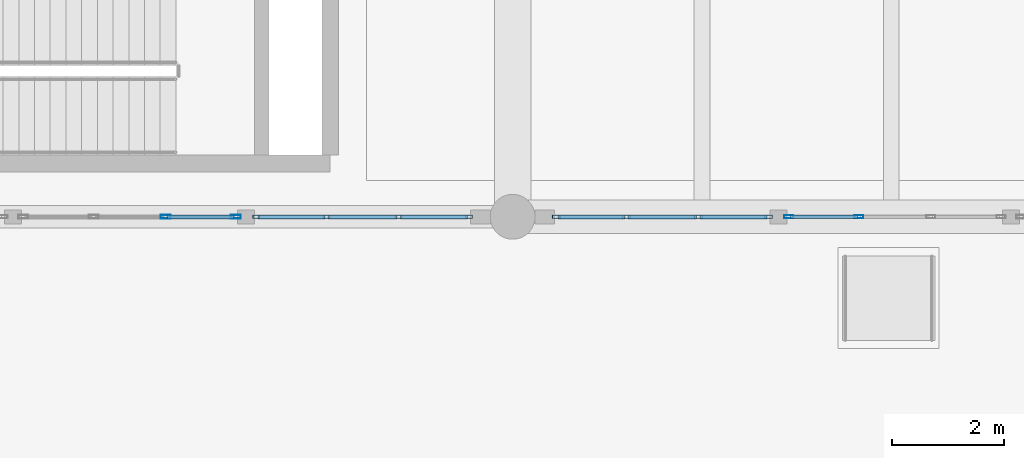
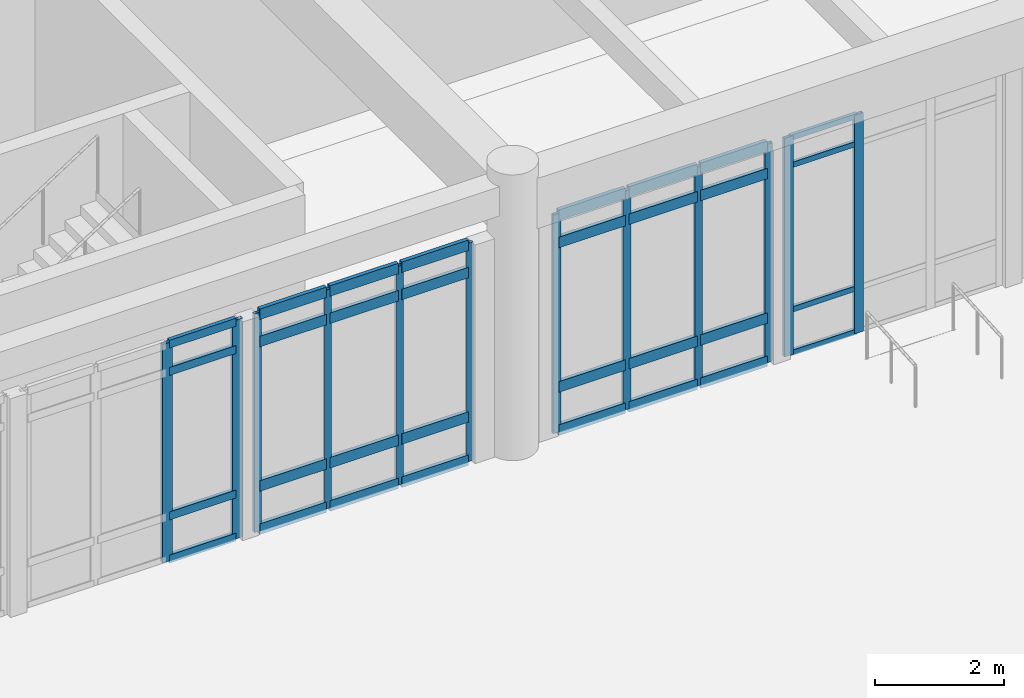
# One storey, part 49 of 138: 44 members, 4 elements without a shape of their own.
"""IFC4 building model written with IfcOpenShell, lengths in metres."""

from ifc_helpers import new_model, si_unit, direction, frame, origin, origin_2d, place, context, subcontext, project, spatial, hollow_rectangle, extrude, material, layer, layer_set, material_profile, profile_set, type_object, element, aggregate, save


model = new_model("IFC4")

# Units and contexts
model_context = context("Model", 3, precision=1e-05, world=origin(), true_north=direction((0.0, 1.0)))
body_context = subcontext(model_context, "Body", "Model", "MODEL_VIEW")
ifc_project = project(units=[si_unit("LENGTHUNIT", "METRE"), si_unit("AREAUNIT", "SQUARE_METRE"), si_unit("VOLUMEUNIT", "CUBIC_METRE"), si_unit("PLANEANGLEUNIT", "RADIAN"), si_unit("MASSUNIT", "GRAM", prefix="KILO")], contexts=[model_context])

# Site, building, storey
site_placement = place(None, origin())
site = spatial("IfcSite", under=ifc_project, at=site_placement, CompositionType="ELEMENT")
building_placement = place(site_placement, origin())
building = spatial("IfcBuilding", under=site, at=building_placement, Name="Fikremerkos Civic Library", CompositionType="ELEMENT")
storey_placement = place(building_placement, origin())
storey = spatial("IfcBuildingStorey", under=building, at=storey_placement, Name="L00", CompositionType="ELEMENT", Elevation=0.0)

# Curtain wall, members
ifc_material = material(Name="Anodized aluminium Frame", Category="aluminium")
ifc_layer_1 = layer(ifc_material, 0.159912109375, Name="Anodized aluminium Frame")
ifc_layer_set_1 = layer_set([ifc_layer_1], Name="Anodized aluminium Frame")
curtain_wall_type_1 = type_object("IfcCurtainWallType", Name="Unitised curtain wall CW-17 4600x3600", PredefinedType="USERDEFINED", material=ifc_layer_set_1)
curtain_wall_1_placement = place(storey_placement, origin())
curtain_wall_1 = element("IfcCurtainWall", 1, at=curtain_wall_1_placement, inside=storey, type_object=curtain_wall_type_1, Name="Unitised curtain wall CW-17 L00 #35", ObjectType="UNITISED CURTAIN WALL", PredefinedType="USERDEFINED")
ifc_material_profile_1 = material_profile(ifc_material, hollow_rectangle(XDim=0.06494140625, YDim=0.179931640625, WallThickness=0.00439453125, at=origin_2d()), Name="ALU 180x65x4.5")
ifc_profile_set_1 = profile_set([ifc_material_profile_1], Name="Anodized aluminium Frame")
member_type_1 = type_object("IfcMemberType", Name="Curtain mullion CWM-01 ALU 180x65x4.5", PredefinedType="MULLION", material=ifc_profile_set_1)
member_1_placement = place(storey_placement, frame((81.76806640625, 96.0, 0.0), z_axis=(0.0, 0.0, 1.0), x_axis=(0.0, -1.0, 0.0)))
member_1 = element("IfcMember", 2, at=member_1_placement, type_object=member_type_1, Name="CW-17 mullion 1", PredefinedType="MULLION", context=body_context, shape_type="SweptSolid", body=[
    extrude(hollow_rectangle(XDim=0.06494140625, YDim=0.179931640625, WallThickness=0.00439453125, at=origin_2d()), origin(), (0.0, 0.0, 1.0), 4.1298828125),
])
member_2_placement = place(storey_placement, frame((80.516845703125, 96.0, 0.0), z_axis=(0.0, 0.0, 1.0), x_axis=(0.0, -1.0, 0.0)))
member_2 = element("IfcMember", 3, at=member_2_placement, type_object=member_type_1, Name="CW-17 mullion 2", PredefinedType="MULLION", context=body_context, shape_type="SweptSolid", body=[
    extrude(hollow_rectangle(XDim=0.06494140625, YDim=0.179931640625, WallThickness=0.00439453125, at=origin_2d()), origin(), (0.0, 0.0, 1.0), 4.1298828125),
])

ifc_layer_2 = layer(ifc_material, 0.159912109375, Name="Anodized aluminium Frame")
ifc_layer_set_2 = layer_set([ifc_layer_2], Name="Anodized aluminium Frame")
curtain_wall_type_2 = type_object("IfcCurtainWallType", Name="Unitised curtain wall CW-14 4100x3200", PredefinedType="USERDEFINED", material=ifc_layer_set_2)
curtain_wall_2_placement = place(storey_placement, origin())
curtain_wall_2 = element("IfcCurtainWall", 4, at=curtain_wall_2_placement, inside=storey, type_object=curtain_wall_type_2, Name="Unitised curtain wall CW-14 L00 #32", ObjectType="UNITISED CURTAIN WALL", PredefinedType="USERDEFINED")
ifc_material_profile_2 = material_profile(ifc_material, hollow_rectangle(XDim=0.06005859375, YDim=0.159912109375, WallThickness=0.00390625, at=origin_2d()), Name="ALU 160x60x4")
ifc_profile_set_2 = profile_set([ifc_material_profile_2], Name="Anodized aluminium Frame")
member_type_2 = type_object("IfcMemberType", Name="Curtain mullion CWM-02 ALU 160x60x4", PredefinedType="MULLION", material=ifc_profile_set_2)
member_3_placement = place(storey_placement, frame((92.8720703125, 96.0, 0.0), z_axis=(0.0, 0.0, 1.0), x_axis=(0.0, -1.0, 0.0)))
member_3 = element("IfcMember", 5, at=member_3_placement, type_object=member_type_2, Name="CW-14 mullion 3", PredefinedType="MULLION", context=body_context, shape_type="SweptSolid", body=[
    extrude(hollow_rectangle(XDim=0.06005859375, YDim=0.159912109375, WallThickness=0.00390625, at=origin_2d()), origin(), (0.0, 0.0, 1.0), 4.1298828125),
])
member_4_placement = place(storey_placement, frame((91.62109375, 96.0, 0.0), z_axis=(0.0, 0.0, 1.0), x_axis=(0.0, -1.0, 0.0)))
member_4 = element("IfcMember", 6, at=member_4_placement, type_object=member_type_2, Name="CW-14 mullion 4", PredefinedType="MULLION", context=body_context, shape_type="SweptSolid", body=[
    extrude(hollow_rectangle(XDim=0.06005859375, YDim=0.159912109375, WallThickness=0.00390625, at=origin_2d()), origin(), (0.0, 0.0, 1.0), 4.1298828125),
])

ifc_layer_3 = layer(ifc_material, 0.159912109375, Name="Anodized aluminium Frame")
ifc_layer_set_3 = layer_set([ifc_layer_3], Name="Anodized aluminium Frame")
curtain_wall_type_3 = type_object("IfcCurtainWallType", Name="Unitised curtain wall CW-15 2900x3600", PredefinedType="USERDEFINED", material=ifc_layer_set_3)
curtain_wall_3_placement = place(storey_placement, origin())
curtain_wall_3 = element("IfcCurtainWall", 7, at=curtain_wall_3_placement, inside=storey, type_object=curtain_wall_type_3, Name="Unitised curtain wall CW-15 L00 #33", ObjectType="UNITISED CURTAIN WALL", PredefinedType="USERDEFINED")
ifc_material_profile_3 = material_profile(ifc_material, hollow_rectangle(XDim=0.06005859375, YDim=0.139892578125, WallThickness=0.00390625, at=origin_2d()), Name="ALU 140x60x4")
ifc_profile_set_3 = profile_set([ifc_material_profile_3], Name="Anodized aluminium Frame")
member_type_3 = type_object("IfcMemberType", Name="Curtain mullion CWM-03 ALU 140x60x4", PredefinedType="MULLION", material=ifc_profile_set_3)
member_5_placement = place(storey_placement, frame((91.260986328125, 96.0, 0.0), z_axis=(0.0, 0.0, 1.0), x_axis=(0.0, -1.0, 0.0)))
member_5 = element("IfcMember", 8, at=member_5_placement, type_object=member_type_3, Name="CW-15 mullion 1", PredefinedType="MULLION", context=body_context, shape_type="SweptSolid", body=[
    extrude(hollow_rectangle(XDim=0.06005859375, YDim=0.139892578125, WallThickness=0.00390625, at=origin_2d()), origin(), (0.0, 0.0, 1.0), 4.1298828125),
])
member_6_placement = place(storey_placement, frame((90.010009765625, 96.0, 0.0), z_axis=(0.0, 0.0, 1.0), x_axis=(0.0, -1.0, 0.0)))
member_6 = element("IfcMember", 9, at=member_6_placement, type_object=member_type_3, Name="CW-15 mullion 2", PredefinedType="MULLION", context=body_context, shape_type="SweptSolid", body=[
    extrude(hollow_rectangle(XDim=0.06005859375, YDim=0.139892578125, WallThickness=0.00390625, at=origin_2d()), origin(), (0.0, 0.0, 1.0), 4.1298828125),
])
member_7_placement = place(storey_placement, frame((88.72900390625, 96.0, 0.0), z_axis=(0.0, 0.0, 1.0), x_axis=(0.0, -1.0, 0.0)))
member_7 = element("IfcMember", 10, at=member_7_placement, type_object=member_type_3, Name="CW-15 mullion 3", PredefinedType="MULLION", context=body_context, shape_type="SweptSolid", body=[
    extrude(hollow_rectangle(XDim=0.06005859375, YDim=0.139892578125, WallThickness=0.00390625, at=origin_2d()), origin(), (0.0, 0.0, 1.0), 4.1298828125),
])
member_8_placement = place(storey_placement, frame((87.47802734375, 96.0, 0.0), z_axis=(0.0, 0.0, 1.0), x_axis=(0.0, -1.0, 0.0)))
member_8 = element("IfcMember", 11, at=member_8_placement, type_object=member_type_3, Name="CW-15 mullion 4", PredefinedType="MULLION", context=body_context, shape_type="SweptSolid", body=[
    extrude(hollow_rectangle(XDim=0.06005859375, YDim=0.139892578125, WallThickness=0.00390625, at=origin_2d()), origin(), (0.0, 0.0, 1.0), 4.1298828125),
])

ifc_layer_4 = layer(ifc_material, 0.159912109375, Name="Anodized aluminium Frame")
ifc_layer_set_4 = layer_set([ifc_layer_4], Name="Anodized aluminium Frame")
curtain_wall_type_4 = type_object("IfcCurtainWallType", Name="Unitised curtain wall CW-16 3100x4100", PredefinedType="USERDEFINED", material=ifc_layer_set_4)
curtain_wall_4_placement = place(storey_placement, origin())
curtain_wall_4 = element("IfcCurtainWall", 12, at=curtain_wall_4_placement, inside=storey, type_object=curtain_wall_type_4, Name="Unitised curtain wall CW-16 L00 #34", ObjectType="UNITISED CURTAIN WALL", PredefinedType="USERDEFINED")
ifc_material_profile_4 = material_profile(ifc_material, hollow_rectangle(XDim=0.06005859375, YDim=0.1201171875, WallThickness=0.00390625, at=origin_2d()), Name="ALU 120x60x4")
ifc_profile_set_4 = profile_set([ifc_material_profile_4], Name="Anodized aluminium Frame")
member_type_4 = type_object("IfcMemberType", Name="Curtain mullion CWM-04 ALU 120x60x4", PredefinedType="MULLION", material=ifc_profile_set_4)
member_9_placement = place(storey_placement, frame((85.922119140625, 96.0, 0.0), z_axis=(0.0, 0.0, 1.0), x_axis=(0.0, -1.0, 0.0)))
member_9 = element("IfcMember", 13, at=member_9_placement, type_object=member_type_4, Name="CW-16 mullion 1", PredefinedType="MULLION", context=body_context, shape_type="SweptSolid", body=[
    extrude(hollow_rectangle(XDim=0.06005859375, YDim=0.1201171875, WallThickness=0.00390625, at=origin_2d()), origin(), (0.0, 0.0, 1.0), 4.1298828125),
])
member_10_placement = place(storey_placement, frame((84.668212890625, 96.0, 0.0), z_axis=(0.0, 0.0, 1.0), x_axis=(0.0, -1.0, 0.0)))
member_10 = element("IfcMember", 14, at=member_10_placement, type_object=member_type_4, Name="CW-16 mullion 2", PredefinedType="MULLION", context=body_context, shape_type="SweptSolid", body=[
    extrude(hollow_rectangle(XDim=0.06005859375, YDim=0.1201171875, WallThickness=0.00390625, at=origin_2d()), origin(), (0.0, 0.0, 1.0), 4.1298828125),
])
member_11_placement = place(storey_placement, frame((83.384521484375, 96.0, 0.0), z_axis=(0.0, 0.0, 1.0), x_axis=(0.0, -1.0, 0.0)))
member_11 = element("IfcMember", 15, at=member_11_placement, type_object=member_type_4, Name="CW-16 mullion 3", PredefinedType="MULLION", context=body_context, shape_type="SweptSolid", body=[
    extrude(hollow_rectangle(XDim=0.06005859375, YDim=0.1201171875, WallThickness=0.00390625, at=origin_2d()), origin(), (0.0, 0.0, 1.0), 4.1298828125),
])
member_12_placement = place(storey_placement, frame((82.130615234375, 96.0, 0.0), z_axis=(0.0, 0.0, 1.0), x_axis=(0.0, -1.0, 0.0)))
member_12 = element("IfcMember", 16, at=member_12_placement, type_object=member_type_4, Name="CW-16 mullion 4", PredefinedType="MULLION", context=body_context, shape_type="SweptSolid", body=[
    extrude(hollow_rectangle(XDim=0.06005859375, YDim=0.1201171875, WallThickness=0.00390625, at=origin_2d()), origin(), (0.0, 0.0, 1.0), 4.1298828125),
])

# Member
ifc_material_profile_5 = material_profile(ifc_material, hollow_rectangle(XDim=0.070068359375, YDim=0.14990234375, WallThickness=0.00439453125, at=origin_2d()), Name="ALU 150x70x4.5")
ifc_profile_set_5 = profile_set([ifc_material_profile_5], Name="Anodized aluminium Frame")
member_type_5 = type_object("IfcMemberType", Name="Curtain transom CWT-01 ALU 150x70x4.5", PredefinedType="USERDEFINED", material=ifc_profile_set_5)
member_13_placement = place(storey_placement, frame((81.735595703125, 96.0, 0.034912109375), z_axis=(-1.0, 0.0, 0.0), x_axis=(0.0, -1.0, 0.0)))
member_13 = element("IfcMember", 17, at=member_13_placement, type_object=member_type_5, Name="CW-17 transom 1.1", ObjectType="TRANSOM", PredefinedType="USERDEFINED", context=body_context, shape_type="SweptSolid", body=[
    extrude(hollow_rectangle(XDim=0.070068359375, YDim=0.14990234375, WallThickness=0.00439453125, at=origin_2d()), origin(), (0.0, 0.0, 1.0), 1.186279296875),
])

member_14_placement = place(storey_placement, frame((81.735595703125, 96.0, 0.85009765625), z_axis=(-1.0, 0.0, 0.0), x_axis=(0.0, -1.0, 0.0)))
member_14 = element("IfcMember", 18, at=member_14_placement, type_object=member_type_5, Name="CW-17 transom 1.2", ObjectType="TRANSOM", PredefinedType="USERDEFINED", context=body_context, shape_type="SweptSolid", body=[
    extrude(hollow_rectangle(XDim=0.070068359375, YDim=0.14990234375, WallThickness=0.00439453125, at=origin_2d()), origin(), (0.0, 0.0, 1.0), 1.186279296875),
])

member_15_placement = place(storey_placement, frame((81.735595703125, 96.0, 3.580078125), z_axis=(-1.0, 0.0, 0.0), x_axis=(0.0, -1.0, 0.0)))
member_15 = element("IfcMember", 19, at=member_15_placement, type_object=member_type_5, Name="CW-17 transom 1.3", ObjectType="TRANSOM", PredefinedType="USERDEFINED", context=body_context, shape_type="SweptSolid", body=[
    extrude(hollow_rectangle(XDim=0.070068359375, YDim=0.14990234375, WallThickness=0.00439453125, at=origin_2d()), origin(), (0.0, 0.0, 1.0), 1.186279296875),
])

member_16_placement = place(storey_placement, frame((81.735595703125, 96.0, 4.094970703125), z_axis=(-1.0, 0.0, 0.0), x_axis=(0.0, -1.0, 0.0)))
member_16 = element("IfcMember", 20, at=member_16_placement, type_object=member_type_5, Name="CW-17 transom 1.4", ObjectType="TRANSOM", PredefinedType="USERDEFINED", context=body_context, shape_type="SweptSolid", body=[
    extrude(hollow_rectangle(XDim=0.070068359375, YDim=0.14990234375, WallThickness=0.00439453125, at=origin_2d()), origin(), (0.0, 0.0, 1.0), 1.186279296875),
])

aggregate(curtain_wall_1, [member_1, member_2, member_13, member_14, member_15, member_16])

ifc_material_profile_6 = material_profile(ifc_material, hollow_rectangle(XDim=0.06005859375, YDim=0.10009765625, WallThickness=0.00390625, at=origin_2d()), Name="ALU 100x60x4")
ifc_profile_set_6 = profile_set([ifc_material_profile_6], Name="Anodized aluminium Frame")
member_type_6 = type_object("IfcMemberType", Name="Curtain transom CWT-03 ALU 100x60x4", PredefinedType="USERDEFINED", material=ifc_profile_set_6)
member_17_placement = place(storey_placement, frame((92.842041015625, 96.0, 0.030029296875), z_axis=(-1.0, 0.0, 0.0), x_axis=(0.0, -1.0, 0.0)))
member_17 = element("IfcMember", 21, at=member_17_placement, type_object=member_type_6, Name="CW-14 transom 3.1", ObjectType="TRANSOM", PredefinedType="USERDEFINED", context=body_context, shape_type="SweptSolid", body=[
    extrude(hollow_rectangle(XDim=0.06005859375, YDim=0.10009765625, WallThickness=0.00390625, at=origin_2d()), origin(), (0.0, 0.0, 1.0), 1.191162109375),
])

member_18_placement = place(storey_placement, frame((92.842041015625, 96.0, 0.85009765625), z_axis=(-1.0, 0.0, 0.0), x_axis=(0.0, -1.0, 0.0)))
member_18 = element("IfcMember", 22, at=member_18_placement, type_object=member_type_6, Name="CW-14 transom 3.2", ObjectType="TRANSOM", PredefinedType="USERDEFINED", context=body_context, shape_type="SweptSolid", body=[
    extrude(hollow_rectangle(XDim=0.06005859375, YDim=0.10009765625, WallThickness=0.00390625, at=origin_2d()), origin(), (0.0, 0.0, 1.0), 1.191162109375),
])

member_19_placement = place(storey_placement, frame((92.842041015625, 96.0, 3.580078125), z_axis=(-1.0, 0.0, 0.0), x_axis=(0.0, -1.0, 0.0)))
member_19 = element("IfcMember", 23, at=member_19_placement, type_object=member_type_6, Name="CW-14 transom 3.3", ObjectType="TRANSOM", PredefinedType="USERDEFINED", context=body_context, shape_type="SweptSolid", body=[
    extrude(hollow_rectangle(XDim=0.06005859375, YDim=0.10009765625, WallThickness=0.00390625, at=origin_2d()), origin(), (0.0, 0.0, 1.0), 1.191162109375),
])

member_20_placement = place(storey_placement, frame((92.842041015625, 96.0, 4.10009765625), z_axis=(-1.0, 0.0, 0.0), x_axis=(0.0, -1.0, 0.0)))
member_20 = element("IfcMember", 24, at=member_20_placement, type_object=member_type_6, Name="CW-14 transom 3.4", ObjectType="TRANSOM", PredefinedType="USERDEFINED", context=body_context, shape_type="SweptSolid", body=[
    extrude(hollow_rectangle(XDim=0.06005859375, YDim=0.10009765625, WallThickness=0.00390625, at=origin_2d()), origin(), (0.0, 0.0, 1.0), 1.191162109375),
])

aggregate(curtain_wall_2, [member_3, member_4, member_17, member_18, member_19, member_20])

ifc_material_profile_7 = material_profile(ifc_material, hollow_rectangle(XDim=0.070068359375, YDim=0.199951171875, WallThickness=0.0048828125, at=origin_2d()), Name="ALU 200x70x5")
ifc_profile_set_7 = profile_set([ifc_material_profile_7], Name="Anodized aluminium Frame")
member_type_7 = type_object("IfcMemberType", Name="Curtain transom CWT-04 ALU 200x70x5", PredefinedType="USERDEFINED", material=ifc_profile_set_7)
member_21_placement = place(storey_placement, frame((91.23095703125, 96.0, 0.034912109375), z_axis=(-1.0, 0.0, 0.0), x_axis=(0.0, -1.0, 0.0)))
member_21 = element("IfcMember", 25, at=member_21_placement, type_object=member_type_7, Name="CW-15 transom 1.1", ObjectType="TRANSOM", PredefinedType="USERDEFINED", context=body_context, shape_type="SweptSolid", body=[
    extrude(hollow_rectangle(XDim=0.070068359375, YDim=0.199951171875, WallThickness=0.0048828125, at=origin_2d()), origin(), (0.0, 0.0, 1.0), 1.19091796875),
])

member_22_placement = place(storey_placement, frame((91.23095703125, 96.0, 0.85009765625), z_axis=(-1.0, 0.0, 0.0), x_axis=(0.0, -1.0, 0.0)))
member_22 = element("IfcMember", 26, at=member_22_placement, type_object=member_type_7, Name="CW-15 transom 1.2", ObjectType="TRANSOM", PredefinedType="USERDEFINED", context=body_context, shape_type="SweptSolid", body=[
    extrude(hollow_rectangle(XDim=0.070068359375, YDim=0.199951171875, WallThickness=0.0048828125, at=origin_2d()), origin(), (0.0, 0.0, 1.0), 1.19091796875),
])

member_23_placement = place(storey_placement, frame((91.23095703125, 96.0, 3.580078125), z_axis=(-1.0, 0.0, 0.0), x_axis=(0.0, -1.0, 0.0)))
member_23 = element("IfcMember", 27, at=member_23_placement, type_object=member_type_7, Name="CW-15 transom 1.3", ObjectType="TRANSOM", PredefinedType="USERDEFINED", context=body_context, shape_type="SweptSolid", body=[
    extrude(hollow_rectangle(XDim=0.070068359375, YDim=0.199951171875, WallThickness=0.0048828125, at=origin_2d()), origin(), (0.0, 0.0, 1.0), 1.19091796875),
])

member_24_placement = place(storey_placement, frame((91.23095703125, 96.0, 4.094970703125), z_axis=(-1.0, 0.0, 0.0), x_axis=(0.0, -1.0, 0.0)))
member_24 = element("IfcMember", 28, at=member_24_placement, type_object=member_type_7, Name="CW-15 transom 1.4", ObjectType="TRANSOM", PredefinedType="USERDEFINED", context=body_context, shape_type="SweptSolid", body=[
    extrude(hollow_rectangle(XDim=0.070068359375, YDim=0.199951171875, WallThickness=0.0048828125, at=origin_2d()), origin(), (0.0, 0.0, 1.0), 1.19091796875),
])

member_25_placement = place(storey_placement, frame((89.97998046875, 96.0, 0.034912109375), z_axis=(-1.0, 0.0, 0.0), x_axis=(0.0, -1.0, 0.0)))
member_25 = element("IfcMember", 29, at=member_25_placement, type_object=member_type_7, Name="CW-15 transom 2.1", ObjectType="TRANSOM", PredefinedType="USERDEFINED", context=body_context, shape_type="SweptSolid", body=[
    extrude(hollow_rectangle(XDim=0.070068359375, YDim=0.199951171875, WallThickness=0.0048828125, at=origin_2d()), origin(), (0.0, 0.0, 1.0), 1.220947265625),
])

member_26_placement = place(storey_placement, frame((89.97998046875, 96.0, 0.85009765625), z_axis=(-1.0, 0.0, 0.0), x_axis=(0.0, -1.0, 0.0)))
member_26 = element("IfcMember", 30, at=member_26_placement, type_object=member_type_7, Name="CW-15 transom 2.2", ObjectType="TRANSOM", PredefinedType="USERDEFINED", context=body_context, shape_type="SweptSolid", body=[
    extrude(hollow_rectangle(XDim=0.070068359375, YDim=0.199951171875, WallThickness=0.0048828125, at=origin_2d()), origin(), (0.0, 0.0, 1.0), 1.220947265625),
])

member_27_placement = place(storey_placement, frame((89.97998046875, 96.0, 3.580078125), z_axis=(-1.0, 0.0, 0.0), x_axis=(0.0, -1.0, 0.0)))
member_27 = element("IfcMember", 31, at=member_27_placement, type_object=member_type_7, Name="CW-15 transom 2.3", ObjectType="TRANSOM", PredefinedType="USERDEFINED", context=body_context, shape_type="SweptSolid", body=[
    extrude(hollow_rectangle(XDim=0.070068359375, YDim=0.199951171875, WallThickness=0.0048828125, at=origin_2d()), origin(), (0.0, 0.0, 1.0), 1.220947265625),
])

member_28_placement = place(storey_placement, frame((89.97998046875, 96.0, 4.094970703125), z_axis=(-1.0, 0.0, 0.0), x_axis=(0.0, -1.0, 0.0)))
member_28 = element("IfcMember", 32, at=member_28_placement, type_object=member_type_7, Name="CW-15 transom 2.4", ObjectType="TRANSOM", PredefinedType="USERDEFINED", context=body_context, shape_type="SweptSolid", body=[
    extrude(hollow_rectangle(XDim=0.070068359375, YDim=0.199951171875, WallThickness=0.0048828125, at=origin_2d()), origin(), (0.0, 0.0, 1.0), 1.220947265625),
])

member_29_placement = place(storey_placement, frame((88.698974609375, 96.0, 0.034912109375), z_axis=(-1.0, 0.0, 0.0), x_axis=(0.0, -1.0, 0.0)))
member_29 = element("IfcMember", 33, at=member_29_placement, type_object=member_type_7, Name="CW-15 transom 3.1", ObjectType="TRANSOM", PredefinedType="USERDEFINED", context=body_context, shape_type="SweptSolid", body=[
    extrude(hollow_rectangle(XDim=0.070068359375, YDim=0.199951171875, WallThickness=0.0048828125, at=origin_2d()), origin(), (0.0, 0.0, 1.0), 1.19091796875),
])

member_30_placement = place(storey_placement, frame((88.698974609375, 96.0, 0.85009765625), z_axis=(-1.0, 0.0, 0.0), x_axis=(0.0, -1.0, 0.0)))
member_30 = element("IfcMember", 34, at=member_30_placement, type_object=member_type_7, Name="CW-15 transom 3.2", ObjectType="TRANSOM", PredefinedType="USERDEFINED", context=body_context, shape_type="SweptSolid", body=[
    extrude(hollow_rectangle(XDim=0.070068359375, YDim=0.199951171875, WallThickness=0.0048828125, at=origin_2d()), origin(), (0.0, 0.0, 1.0), 1.19091796875),
])

member_31_placement = place(storey_placement, frame((88.698974609375, 96.0, 3.580078125), z_axis=(-1.0, 0.0, 0.0), x_axis=(0.0, -1.0, 0.0)))
member_31 = element("IfcMember", 35, at=member_31_placement, type_object=member_type_7, Name="CW-15 transom 3.3", ObjectType="TRANSOM", PredefinedType="USERDEFINED", context=body_context, shape_type="SweptSolid", body=[
    extrude(hollow_rectangle(XDim=0.070068359375, YDim=0.199951171875, WallThickness=0.0048828125, at=origin_2d()), origin(), (0.0, 0.0, 1.0), 1.19091796875),
])

member_32_placement = place(storey_placement, frame((88.698974609375, 96.0, 4.094970703125), z_axis=(-1.0, 0.0, 0.0), x_axis=(0.0, -1.0, 0.0)))
member_32 = element("IfcMember", 36, at=member_32_placement, type_object=member_type_7, Name="CW-15 transom 3.4", ObjectType="TRANSOM", PredefinedType="USERDEFINED", context=body_context, shape_type="SweptSolid", body=[
    extrude(hollow_rectangle(XDim=0.070068359375, YDim=0.199951171875, WallThickness=0.0048828125, at=origin_2d()), origin(), (0.0, 0.0, 1.0), 1.19091796875),
])

aggregate(curtain_wall_3, [member_5, member_6, member_7, member_8, member_21, member_22, member_23, member_24, member_25, member_26, member_27, member_28, member_29, member_30, member_31, member_32])

member_33_placement = place(storey_placement, frame((85.89208984375, 96.0, 0.034912109375), z_axis=(-1.0, 0.0, 0.0), x_axis=(0.0, -1.0, 0.0)))
member_33 = element("IfcMember", 37, at=member_33_placement, type_object=member_type_7, Name="CW-16 transom 1.1", ObjectType="TRANSOM", PredefinedType="USERDEFINED", context=body_context, shape_type="SweptSolid", body=[
    extrude(hollow_rectangle(XDim=0.070068359375, YDim=0.199951171875, WallThickness=0.0048828125, at=origin_2d()), origin(), (0.0, 0.0, 1.0), 1.19384765625),
])

member_34_placement = place(storey_placement, frame((85.89208984375, 96.0, 0.85009765625), z_axis=(-1.0, 0.0, 0.0), x_axis=(0.0, -1.0, 0.0)))
member_34 = element("IfcMember", 38, at=member_34_placement, type_object=member_type_7, Name="CW-16 transom 1.2", ObjectType="TRANSOM", PredefinedType="USERDEFINED", context=body_context, shape_type="SweptSolid", body=[
    extrude(hollow_rectangle(XDim=0.070068359375, YDim=0.199951171875, WallThickness=0.0048828125, at=origin_2d()), origin(), (0.0, 0.0, 1.0), 1.19384765625),
])

member_35_placement = place(storey_placement, frame((85.89208984375, 96.0, 3.580078125), z_axis=(-1.0, 0.0, 0.0), x_axis=(0.0, -1.0, 0.0)))
member_35 = element("IfcMember", 39, at=member_35_placement, type_object=member_type_7, Name="CW-16 transom 1.3", ObjectType="TRANSOM", PredefinedType="USERDEFINED", context=body_context, shape_type="SweptSolid", body=[
    extrude(hollow_rectangle(XDim=0.070068359375, YDim=0.199951171875, WallThickness=0.0048828125, at=origin_2d()), origin(), (0.0, 0.0, 1.0), 1.19384765625),
])

member_36_placement = place(storey_placement, frame((85.89208984375, 96.0, 4.094970703125), z_axis=(-1.0, 0.0, 0.0), x_axis=(0.0, -1.0, 0.0)))
member_36 = element("IfcMember", 40, at=member_36_placement, type_object=member_type_7, Name="CW-16 transom 1.4", ObjectType="TRANSOM", PredefinedType="USERDEFINED", context=body_context, shape_type="SweptSolid", body=[
    extrude(hollow_rectangle(XDim=0.070068359375, YDim=0.199951171875, WallThickness=0.0048828125, at=origin_2d()), origin(), (0.0, 0.0, 1.0), 1.19384765625),
])

member_37_placement = place(storey_placement, frame((84.63818359375, 96.0, 0.034912109375), z_axis=(-1.0, 0.0, 0.0), x_axis=(0.0, -1.0, 0.0)))
member_37 = element("IfcMember", 41, at=member_37_placement, type_object=member_type_7, Name="CW-16 transom 2.1", ObjectType="TRANSOM", PredefinedType="USERDEFINED", context=body_context, shape_type="SweptSolid", body=[
    extrude(hollow_rectangle(XDim=0.070068359375, YDim=0.199951171875, WallThickness=0.0048828125, at=origin_2d()), origin(), (0.0, 0.0, 1.0), 1.2236328125),
])

member_38_placement = place(storey_placement, frame((84.63818359375, 96.0, 0.85009765625), z_axis=(-1.0, 0.0, 0.0), x_axis=(0.0, -1.0, 0.0)))
member_38 = element("IfcMember", 42, at=member_38_placement, type_object=member_type_7, Name="CW-16 transom 2.2", ObjectType="TRANSOM", PredefinedType="USERDEFINED", context=body_context, shape_type="SweptSolid", body=[
    extrude(hollow_rectangle(XDim=0.070068359375, YDim=0.199951171875, WallThickness=0.0048828125, at=origin_2d()), origin(), (0.0, 0.0, 1.0), 1.2236328125),
])

member_39_placement = place(storey_placement, frame((84.63818359375, 96.0, 3.580078125), z_axis=(-1.0, 0.0, 0.0), x_axis=(0.0, -1.0, 0.0)))
member_39 = element("IfcMember", 43, at=member_39_placement, type_object=member_type_7, Name="CW-16 transom 2.3", ObjectType="TRANSOM", PredefinedType="USERDEFINED", context=body_context, shape_type="SweptSolid", body=[
    extrude(hollow_rectangle(XDim=0.070068359375, YDim=0.199951171875, WallThickness=0.0048828125, at=origin_2d()), origin(), (0.0, 0.0, 1.0), 1.2236328125),
])

member_40_placement = place(storey_placement, frame((84.63818359375, 96.0, 4.094970703125), z_axis=(-1.0, 0.0, 0.0), x_axis=(0.0, -1.0, 0.0)))
member_40 = element("IfcMember", 44, at=member_40_placement, type_object=member_type_7, Name="CW-16 transom 2.4", ObjectType="TRANSOM", PredefinedType="USERDEFINED", context=body_context, shape_type="SweptSolid", body=[
    extrude(hollow_rectangle(XDim=0.070068359375, YDim=0.199951171875, WallThickness=0.0048828125, at=origin_2d()), origin(), (0.0, 0.0, 1.0), 1.2236328125),
])

member_41_placement = place(storey_placement, frame((83.3544921875, 96.0, 0.034912109375), z_axis=(-1.0, 0.0, 0.0), x_axis=(0.0, -1.0, 0.0)))
member_41 = element("IfcMember", 45, at=member_41_placement, type_object=member_type_7, Name="CW-16 transom 3.1", ObjectType="TRANSOM", PredefinedType="USERDEFINED", context=body_context, shape_type="SweptSolid", body=[
    extrude(hollow_rectangle(XDim=0.070068359375, YDim=0.199951171875, WallThickness=0.0048828125, at=origin_2d()), origin(), (0.0, 0.0, 1.0), 1.19384765625),
])

member_42_placement = place(storey_placement, frame((83.3544921875, 96.0, 0.85009765625), z_axis=(-1.0, 0.0, 0.0), x_axis=(0.0, -1.0, 0.0)))
member_42 = element("IfcMember", 46, at=member_42_placement, type_object=member_type_7, Name="CW-16 transom 3.2", ObjectType="TRANSOM", PredefinedType="USERDEFINED", context=body_context, shape_type="SweptSolid", body=[
    extrude(hollow_rectangle(XDim=0.070068359375, YDim=0.199951171875, WallThickness=0.0048828125, at=origin_2d()), origin(), (0.0, 0.0, 1.0), 1.19384765625),
])

member_43_placement = place(storey_placement, frame((83.3544921875, 96.0, 3.580078125), z_axis=(-1.0, 0.0, 0.0), x_axis=(0.0, -1.0, 0.0)))
member_43 = element("IfcMember", 47, at=member_43_placement, type_object=member_type_7, Name="CW-16 transom 3.3", ObjectType="TRANSOM", PredefinedType="USERDEFINED", context=body_context, shape_type="SweptSolid", body=[
    extrude(hollow_rectangle(XDim=0.070068359375, YDim=0.199951171875, WallThickness=0.0048828125, at=origin_2d()), origin(), (0.0, 0.0, 1.0), 1.19384765625),
])

member_44_placement = place(storey_placement, frame((83.3544921875, 96.0, 4.094970703125), z_axis=(-1.0, 0.0, 0.0), x_axis=(0.0, -1.0, 0.0)))
member_44 = element("IfcMember", 48, at=member_44_placement, type_object=member_type_7, Name="CW-16 transom 3.4", ObjectType="TRANSOM", PredefinedType="USERDEFINED", context=body_context, shape_type="SweptSolid", body=[
    extrude(hollow_rectangle(XDim=0.070068359375, YDim=0.199951171875, WallThickness=0.0048828125, at=origin_2d()), origin(), (0.0, 0.0, 1.0), 1.19384765625),
])

aggregate(curtain_wall_4, [member_9, member_10, member_11, member_12, member_33, member_34, member_35, member_36, member_37, member_38, member_39, member_40, member_41, member_42, member_43, member_44])

save(model, "model.ifc")
